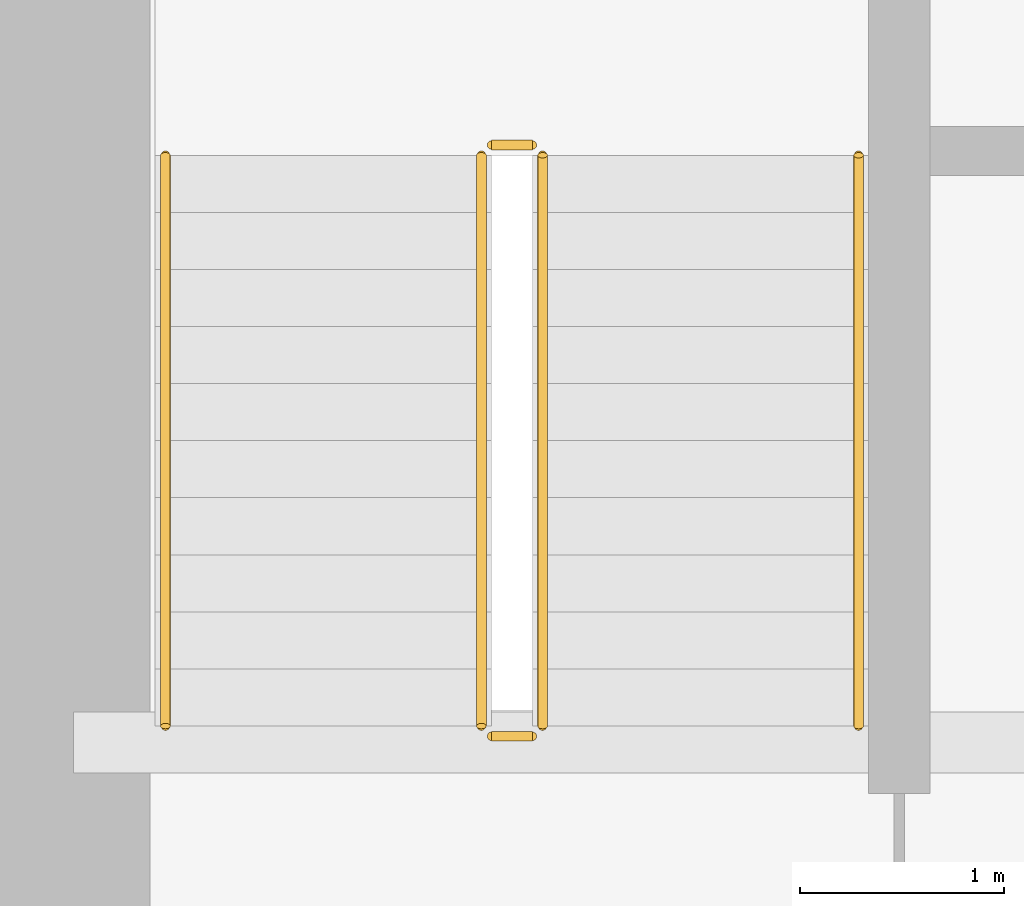
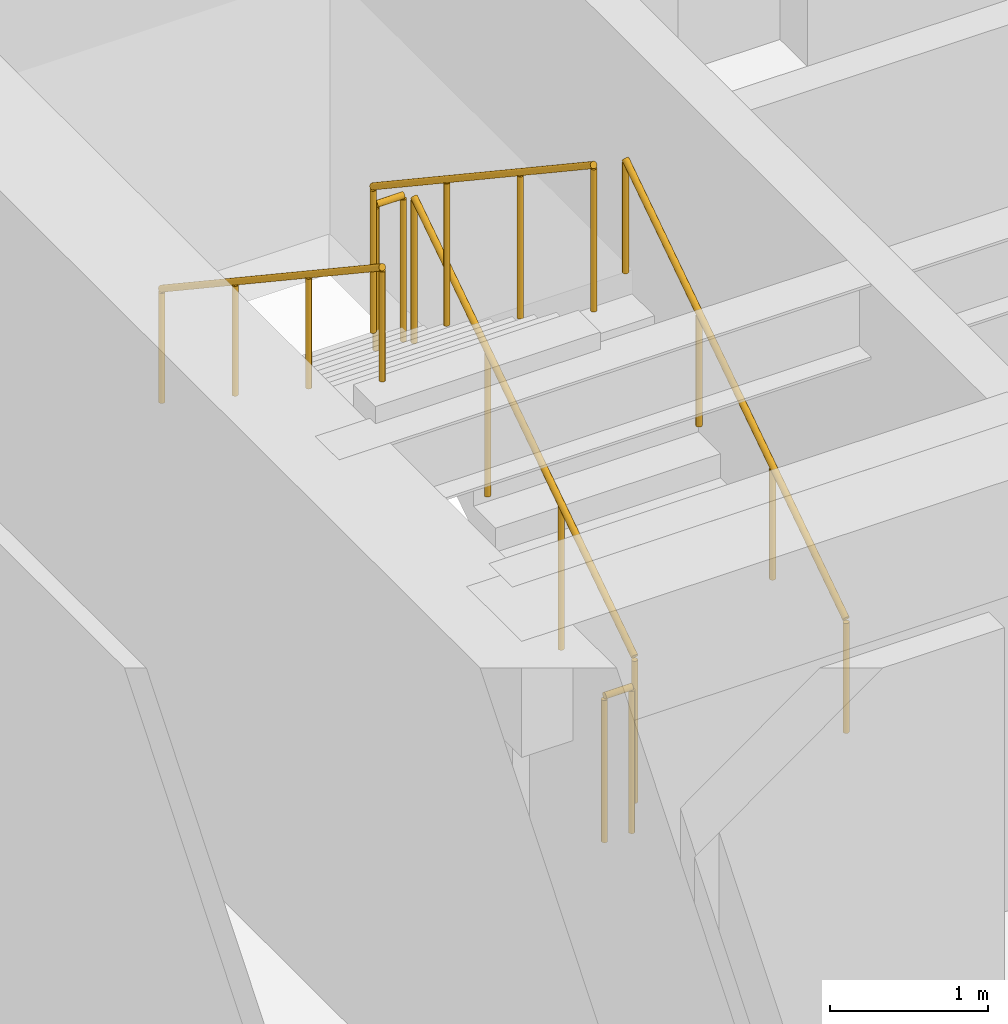
# One storey, part 34 of 36: 6 railings.
"""IFC4 building model written with IfcOpenShell, lengths in metres."""

from ifc_helpers import new_model, si_unit, direction, frame, origin, origin_2d, place, context, subcontext, project, spatial, circle, extrude, source, transform, mapped, material, type_object, type_shapes, element, save


model = new_model("IFC4")

# Units and contexts
model_context = context("Model", 3, precision=1e-05, world=origin(), true_north=direction((0.0, 1.0)))
body_context = subcontext(model_context, "Body", "Model", "MODEL_VIEW")
ifc_project = project(units=[si_unit("LENGTHUNIT", "METRE"), si_unit("AREAUNIT", "SQUARE_METRE"), si_unit("VOLUMEUNIT", "CUBIC_METRE"), si_unit("PLANEANGLEUNIT", "RADIAN"), si_unit("MASSUNIT", "GRAM", prefix="KILO")], contexts=[model_context])

# Site, building, storey
site_placement = place(None, origin())
site = spatial("IfcSite", under=ifc_project, at=site_placement, CompositionType="ELEMENT")
building_placement = place(site_placement, origin())
building = spatial("IfcBuilding", under=site, at=building_placement, Name="Haelvirn Gate Laboratories", CompositionType="ELEMENT")
storey_placement = place(building_placement, frame((0.0, 0.0, 25.199951171875)))
storey = spatial("IfcBuildingStorey", under=building, at=storey_placement, Name="L06", CompositionType="ELEMENT", Elevation=25.199951171875)

# Railings
ifc_material_1 = material(Name="Galvanised steel SM355 & stainless top rail", Category="steel")
railing_type_1 = type_object("IfcRailingType", Name="RL-GUARD-1150", PredefinedType="GUARDRAIL", material=ifc_material_1)
shared_shape_1 = source(origin(), body_context, "Body", "SweptSolid", [
    extrude(circle(Radius=0.02392578125, at=origin_2d()), frame((0.0, 0.0, 1.1259765625), z_axis=(-1.0, 0.0, 0.0), x_axis=(0.0, -1.0, 0.0)), (0.0, 0.0, 1.0), 0.199951171875),
    extrude(circle(Radius=0.02099609375, at=origin_2d()), origin(), (0.0, 0.0, 1.0), 1.101806640625),
    extrude(circle(Radius=0.02099609375, at=origin_2d()), frame((-0.199951171875, 0.0, 0.0)), (0.0, 0.0, 1.0), 1.101806640625),
])
for number, where, name in (
    (1, (9.64990234375, 29.550048828125, 2.050048828125), "L06 ST1 stair guard 2"),
    (2, (9.64990234375, 26.64990234375, 0.0), "L06 ST1 stair guard 4"),
):
    element("IfcRailing", number, at=place(storey_placement, frame(where)), inside=storey, type_object=railing_type_1, Name=name, PredefinedType="GUARDRAIL", context=body_context, shape_type="MappedRepresentation", body=[
        mapped(shared_shape_1, transform((0.0, 0.0, 0.0), scale=1.0)),
    ])
shared_shape_2 = source(origin(), body_context, "Body", "SweptSolid", [
    extrude(circle(Radius=0.02392578125, at=origin_2d()), frame((0.0, 0.0, 1.1259765625), z_axis=(0.0, 0.832485552168, 0.554046753832), x_axis=(-1.0, 0.0, 0.0)), (0.0, 0.0, 1.0), 3.363525390625),
    extrude(circle(Radius=0.02099609375, at=origin_2d()), origin(), (0.0, 0.0, 1.0), 1.101806640625),
    extrude(circle(Radius=0.02099609375, at=origin_2d()), frame((0.0, 0.933349609375, 0.62109375)), (0.0, 0.0, 1.0), 1.101806640625),
    extrude(circle(Radius=0.02099609375, at=origin_2d()), frame((0.0, 1.86669921875, 1.242431640625)), (0.0, 0.0, 1.0), 1.101806640625),
    extrude(circle(Radius=0.02099609375, at=origin_2d()), frame((0.0, 2.800048828125, 1.863525390625)), (0.0, 0.0, 1.0), 1.101806640625),
])
railing_1_placement = place(storey_placement, frame((9.699951171875, 26.699951171875, 0.1865234375)))
element("IfcRailing", 3, at=railing_1_placement, inside=storey, type_object=railing_type_1, Name="L06 ST1 stair guard 1", PredefinedType="GUARDRAIL", context=body_context, shape_type="MappedRepresentation", body=[
    mapped(shared_shape_2, transform((0.0, 0.0, 0.0), scale=1.0)),
])
shared_shape_3 = source(origin(), body_context, "Body", "SweptSolid", [
    extrude(circle(Radius=0.02392578125, at=origin_2d()), frame((0.0, 0.0, 1.1259765625), z_axis=(0.0, -0.832452072856, 0.554097055034), x_axis=(1.0, 0.0, 0.0)), (0.0, 0.0, 1.0), 3.363525390625),
    extrude(circle(Radius=0.02099609375, at=origin_2d()), origin(), (0.0, 0.0, 1.0), 1.101806640625),
    extrude(circle(Radius=0.02099609375, at=origin_2d()), frame((0.0, -0.933349609375, 0.621337890625)), (0.0, 0.0, 1.0), 1.101806640625),
    extrude(circle(Radius=0.02099609375, at=origin_2d()), frame((0.0, -1.86669921875, 1.242431640625)), (0.0, 0.0, 1.0), 1.101806640625),
    extrude(circle(Radius=0.02099609375, at=origin_2d()), frame((0.0, -2.800048828125, 1.86376953125)), (0.0, 0.0, 1.0), 1.101806640625),
])
type_shapes(railing_type_1, [shared_shape_1, shared_shape_2, shared_shape_3])
railing_2_placement = place(storey_placement, frame((9.39990234375, 29.5, 2.236328125)))
element("IfcRailing", 4, at=railing_2_placement, inside=storey, type_object=railing_type_1, Name="L06 ST1 stair guard 3", PredefinedType="GUARDRAIL", context=body_context, shape_type="MappedRepresentation", body=[
    mapped(shared_shape_3, transform((0.0, 0.0, 0.0), scale=1.0)),
])
ifc_material_2 = material(Name="Brushed stainless steel 316L", Category="steel")
railing_type_2 = type_object("IfcRailingType", Name="RL-HAND-920", PredefinedType="HANDRAIL", material=ifc_material_2)
shared_shape_4 = source(origin(), body_context, "Body", "SweptSolid", [
    extrude(circle(Radius=0.02392578125, at=origin_2d()), frame((0.0, 0.0, 0.8759765625), z_axis=(0.0, 0.832485552168, 0.554046753832), x_axis=(-1.0, 0.0, 0.0)), (0.0, 0.0, 1.0), 3.363525390625),
    extrude(circle(Radius=0.02099609375, at=origin_2d()), origin(), (0.0, 0.0, 1.0), 0.851806640625),
    extrude(circle(Radius=0.02099609375, at=origin_2d()), frame((0.0, 0.933349609375, 0.62109375)), (0.0, 0.0, 1.0), 0.851806640625),
    extrude(circle(Radius=0.02099609375, at=origin_2d()), frame((0.0, 1.86669921875, 1.242431640625)), (0.0, 0.0, 1.0), 0.851806640625),
    extrude(circle(Radius=0.02099609375, at=origin_2d()), frame((0.0, 2.800048828125, 1.863525390625)), (0.0, 0.0, 1.0), 0.851806640625),
])
railing_3_placement = place(storey_placement, frame((11.25, 26.699951171875, 0.1865234375)))
element("IfcRailing", 5, at=railing_3_placement, inside=storey, type_object=railing_type_2, Name="L06 ST1 stair handrail 1", PredefinedType="HANDRAIL", context=body_context, shape_type="MappedRepresentation", body=[
    mapped(shared_shape_4, transform((0.0, 0.0, 0.0), scale=1.0)),
])
shared_shape_5 = source(origin(), body_context, "Body", "SweptSolid", [
    extrude(circle(Radius=0.02392578125, at=origin_2d()), frame((0.0, 0.0, 0.8759765625), z_axis=(0.0, -0.832452072856, 0.554097055034), x_axis=(1.0, 0.0, 0.0)), (0.0, 0.0, 1.0), 3.363525390625),
    extrude(circle(Radius=0.02099609375, at=origin_2d()), origin(), (0.0, 0.0, 1.0), 0.851806640625),
    extrude(circle(Radius=0.02099609375, at=origin_2d()), frame((0.0, -0.933349609375, 0.621337890625)), (0.0, 0.0, 1.0), 0.851806640625),
    extrude(circle(Radius=0.02099609375, at=origin_2d()), frame((0.0, -1.86669921875, 1.242431640625)), (0.0, 0.0, 1.0), 0.851806640625),
    extrude(circle(Radius=0.02099609375, at=origin_2d()), frame((0.0, -2.800048828125, 1.86376953125)), (0.0, 0.0, 1.0), 0.851806640625),
])
type_shapes(railing_type_2, [shared_shape_4, shared_shape_5])
railing_4_placement = place(storey_placement, frame((7.85009765625, 29.5, 2.236328125)))
element("IfcRailing", 6, at=railing_4_placement, inside=storey, type_object=railing_type_2, Name="L06 ST1 stair handrail 2", PredefinedType="HANDRAIL", context=body_context, shape_type="MappedRepresentation", body=[
    mapped(shared_shape_5, transform((0.0, 0.0, 0.0), scale=1.0)),
])

save(model, "model.ifc")
